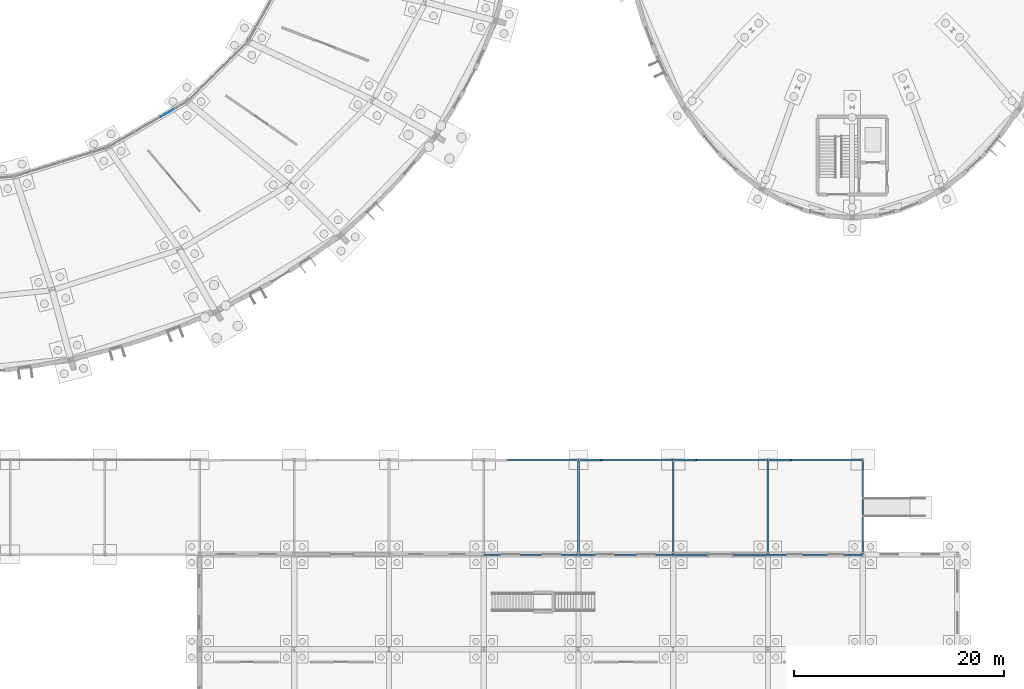
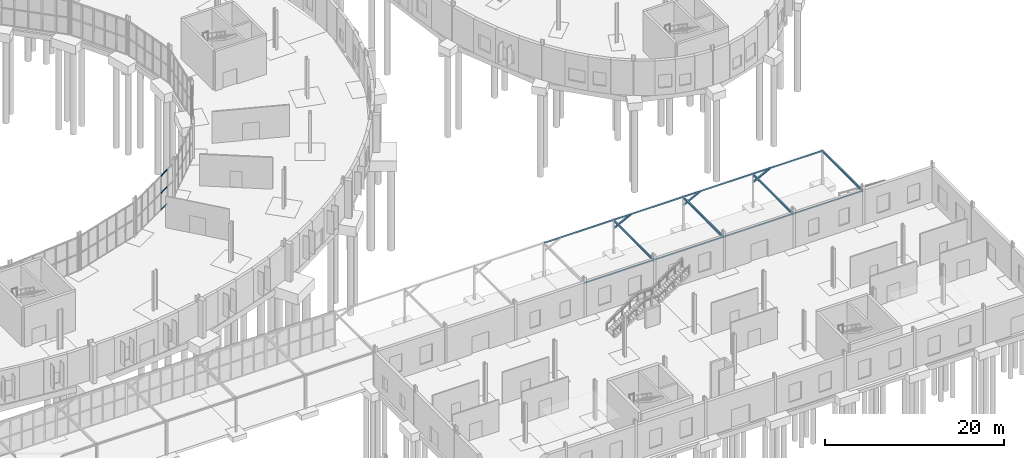
# One storey, part 65 of 118: 12 beams, 6 members, 1 element without a shape of its own.
"""IFC4 building model written with IfcOpenShell, lengths in metres."""

from ifc_helpers import new_model, si_unit, direction, frame, origin, origin_2d, place, context, subcontext, project, spatial, rectangle, hollow_rectangle, i_section, extrude, material, material_profile, profile_set, type_object, element, aggregate, save


model = new_model("IFC4")

# Units and contexts
model_context = context("Model", 3, precision=1e-05, world=origin(), true_north=direction((0.0, 1.0)))
body_context = subcontext(model_context, "Body", "Model", "MODEL_VIEW")
ifc_project = project(units=[si_unit("LENGTHUNIT", "METRE"), si_unit("AREAUNIT", "SQUARE_METRE"), si_unit("VOLUMEUNIT", "CUBIC_METRE"), si_unit("PLANEANGLEUNIT", "RADIAN"), si_unit("MASSUNIT", "GRAM", prefix="KILO")], contexts=[model_context])

# Site, building, storey
site_placement = place(None, origin())
site = spatial("IfcSite", under=ifc_project, at=site_placement, CompositionType="ELEMENT")
building_placement = place(site_placement, origin())
building = spatial("IfcBuilding", under=site, at=building_placement, Name="Kildeholm Park Wholesale Market", CompositionType="ELEMENT")
storey_placement = place(building_placement, origin())
storey = spatial("IfcBuildingStorey", under=building, at=storey_placement, Name="L00", CompositionType="ELEMENT", Elevation=0.0)

# Beams
ifc_material_1 = material(Name="Steel S355", Category="steel")
ifc_material_profile_1 = material_profile(ifc_material_1, i_section(OverallWidth=0.14990234375, OverallDepth=0.300048828125, WebThickness=0.007080078125, FlangeThickness=0.0107421875, FilletRadius=0.014892578125, at=origin_2d()), Name="IPE 300")
ifc_profile_set_1 = profile_set([ifc_material_profile_1], Name="Steel S355")
beam_type_1 = type_object("IfcBeamType", Name="Beam B-C01 IPE 300", PredefinedType="BEAM", material=ifc_profile_set_1)
for number, where, z_axis, x_axis, name in (
    (1, (162.0, 27.0, 4.486083984375), (0.0, 1.0, 0.0), (-1.0, 0.0, 0.0), "Beam BM-V6-TR-162 BM-1827"),
    (2, (171.0, 27.0, 4.486083984375), (0.0, 1.0, 0.0), (-1.0, 0.0, 0.0), "Beam BM-V6-TR-171 BM-1830"),
    (3, (180.0, 27.0, 4.486083984375), (0.0, 1.0, 0.0), (-1.0, 0.0, 0.0), "Beam BM-V6-TR-180 BM-1833"),
    (4, (189.0, 27.0, 4.486083984375), (0.0, 1.0, 0.0), (-1.0, 0.0, 0.0), "Beam BM-V6-TR-189 BM-1836"),
):
    element("IfcBeam", number, at=place(storey_placement, frame(where, z_axis=z_axis, x_axis=x_axis)), inside=storey, type_object=beam_type_1, Name=name, PredefinedType="BEAM", context=body_context, shape_type="SweptSolid", body=[
        extrude(i_section(OverallWidth=0.14990234375, OverallDepth=0.300048828125, WebThickness=0.007080078125, FlangeThickness=0.0107421875, FilletRadius=0.014892578125, at=origin_2d()), origin(), (0.0, 0.0, 1.0), 9.0),
    ])
ifc_material_profile_2 = material_profile(ifc_material_1, hollow_rectangle(XDim=0.10009765625, YDim=0.199951171875, WallThickness=0.008056640625, InnerFilletRadius=0.008056640625, OuterFilletRadius=0.01611328125, at=origin_2d()), Name="RHS 200x100x8")
ifc_profile_set_2 = profile_set([ifc_material_profile_2], Name="Steel S355")
beam_type_2 = type_object("IfcBeamType", Name="Beam LN-01 RHS 200x100x8", PredefinedType="LINTEL", material=ifc_profile_set_2)
for number, where, z_axis, x_axis, name in (
    (5, (153.0, 27.0, 4.5400390625), (1.0, 0.0, 0.0), (0.0, 1.0, 0.0), "Beam BM-V6-S-153 BM-1825"),
    (6, (153.0, 36.0, 4.5400390625), (1.0, 0.0, 0.0), (0.0, 1.0, 0.0), "Beam BM-V6-N-153 BM-1826"),
    (7, (162.0, 27.0, 4.5400390625), (1.0, 0.0, 0.0), (0.0, 1.0, 0.0), "Beam BM-V6-S-162 BM-1828"),
    (8, (162.0, 36.0, 4.5400390625), (1.0, 0.0, 0.0), (0.0, 1.0, 0.0), "Beam BM-V6-N-162 BM-1829"),
    (9, (171.0, 27.0, 4.5400390625), (1.0, 0.0, 0.0), (0.0, 1.0, 0.0), "Beam BM-V6-S-171 BM-1831"),
    (10, (171.0, 36.0, 4.5400390625), (1.0, 0.0, 0.0), (0.0, 1.0, 0.0), "Beam BM-V6-N-171 BM-1832"),
    (11, (180.0, 27.0, 4.5400390625), (1.0, 0.0, 0.0), (0.0, 1.0, 0.0), "Beam BM-V6-S-180 BM-1834"),
    (12, (180.0, 36.0, 4.5400390625), (1.0, 0.0, 0.0), (0.0, 1.0, 0.0), "Beam BM-V6-N-180 BM-1835"),
):
    element("IfcBeam", number, at=place(storey_placement, frame(where, z_axis=z_axis, x_axis=x_axis)), inside=storey, type_object=beam_type_2, Name=name, PredefinedType="LINTEL", context=body_context, shape_type="SweptSolid", body=[
        extrude(hollow_rectangle(XDim=0.10009765625, YDim=0.199951171875, WallThickness=0.008056640625, InnerFilletRadius=0.008056640625, OuterFilletRadius=0.01611328125, at=origin_2d()), origin(), (0.0, 0.0, 1.0), 9.0),
    ])

# Curtain wall, members
ifc_material_2 = material(Name="Anodised aluminium and low-E double-glazed glass", Category="aluminium")
curtain_wall_type = type_object("IfcCurtainWallType", Name="Market hall glazed arcade stick curtain wall CW-01", PredefinedType="NOTDEFINED", material=ifc_material_2)
curtain_wall_placement = place(storey_placement, origin())
curtain_wall = element("IfcCurtainWall", 13, at=curtain_wall_placement, inside=storey, type_object=curtain_wall_type, Name="Curtain wall CW-V1-IN0-20 CW-0101", PredefinedType="NOTDEFINED")
ifc_material_3 = material(Name="Anodised aluminium", Category="aluminium")
ifc_material_profile_3 = material_profile(ifc_material_3, rectangle(XDim=0.06494140625, YDim=0.139892578125, at=origin_2d()), Name="CWT 65x140")
ifc_profile_set_3 = profile_set([ifc_material_profile_3], Name="Anodised aluminium")
member_type_1 = type_object("IfcMemberType", Name="Curtain-wall transom CWT-1 CWT 65x140", PredefinedType="USERDEFINED", material=ifc_profile_set_3)
member_1_placement = place(storey_placement, frame((122.3095703125, 68.60400390625, 0.032470703125), z_axis=(0.86576604618, 0.500448951725, 0.0), x_axis=(-0.500448951725, 0.86576604618, 0.0)))
member_1 = element("IfcMember", 14, at=member_1_placement, type_object=member_type_1, Name="CW-01 transom 5.1 MEM-3213", ObjectType="TRANSOM", PredefinedType="USERDEFINED", context=body_context, shape_type="SweptSolid", body=[
    extrude(rectangle(XDim=0.06494140625, YDim=0.139892578125, at=origin_2d()), origin(), (0.0, 0.0, 1.0), 1.376708984375),
])
member_2_placement = place(storey_placement, frame((122.3095703125, 68.60400390625, 2.35009765625), z_axis=(0.86576604618, 0.500448951725, 0.0), x_axis=(-0.500448951725, 0.86576604618, 0.0)))
member_2 = element("IfcMember", 15, at=member_2_placement, type_object=member_type_1, Name="CW-01 transom 5.2 MEM-3214", ObjectType="TRANSOM", PredefinedType="USERDEFINED", context=body_context, shape_type="SweptSolid", body=[
    extrude(rectangle(XDim=0.06494140625, YDim=0.139892578125, at=origin_2d()), origin(), (0.0, 0.0, 1.0), 1.376708984375),
])
member_3_placement = place(storey_placement, frame((122.3095703125, 68.60400390625, 4.66748046875), z_axis=(0.86576604618, 0.500448951725, 0.0), x_axis=(-0.500448951725, 0.86576604618, 0.0)))
member_3 = element("IfcMember", 16, at=member_3_placement, type_object=member_type_1, Name="CW-01 transom 5.3 MEM-3215", ObjectType="TRANSOM", PredefinedType="USERDEFINED", context=body_context, shape_type="SweptSolid", body=[
    extrude(rectangle(XDim=0.06494140625, YDim=0.139892578125, at=origin_2d()), origin(), (0.0, 0.0, 1.0), 1.376708984375),
])
aggregate(curtain_wall, [member_1, member_2, member_3])

# Members
ifc_material_profile_4 = material_profile(ifc_material_1, i_section(OverallWidth=0.199951171875, OverallDepth=0.199951171875, WebThickness=0.009033203125, FlangeThickness=0.014892578125, FilletRadius=0.01806640625, at=origin_2d()), Name="HEB 200")
ifc_profile_set_4 = profile_set([ifc_material_profile_4], Name="Steel S355")
member_type_2 = type_object("IfcMemberType", Name="Member PT-01 HEB 200", PredefinedType="POST", material=ifc_profile_set_4)
for number, where, z_axis, x_axis, name in (
    (17, (162.0, 36.0, 3.39990234375), (0.887849952902, 0.0, 0.460133090673), (0.0, 1.0, 0.0), "Member PT-V6-162 MEM-0391"),
    (18, (180.0, 36.0, 3.39990234375), (0.887849952902, 0.0, 0.460133090673), (0.0, 1.0, 0.0), "Member PT-V6-180 MEM-0393"),
):
    element("IfcMember", number, at=place(storey_placement, frame(where, z_axis=z_axis, x_axis=x_axis)), inside=storey, type_object=member_type_2, Name=name, PredefinedType="POST", context=body_context, shape_type="SweptSolid", body=[
        extrude(i_section(OverallWidth=0.199951171875, OverallDepth=0.199951171875, WebThickness=0.009033203125, FlangeThickness=0.014892578125, FilletRadius=0.01806640625, at=origin_2d()), origin(), (0.0, 0.0, 1.0), 2.477783203125),
    ])
ifc_material_profile_5 = material_profile(ifc_material_1, hollow_rectangle(XDim=0.199951171875, YDim=0.199951171875, WallThickness=0.012451171875, InnerFilletRadius=0.012451171875, OuterFilletRadius=0.02490234375, at=origin_2d()), Name="SHS 200x200x12.5")
ifc_profile_set_5 = profile_set([ifc_material_profile_5], Name="Steel S355")
member_type_3 = type_object("IfcMemberType", Name="Member PT-02 SHS 200x200x12.5", PredefinedType="POST", material=ifc_profile_set_5)
member_4_placement = place(storey_placement, frame((171.0, 36.0, 3.39990234375), z_axis=(0.887849952902, 0.0, 0.460133090673), x_axis=(0.0, 1.0, 0.0)))
element("IfcMember", 19, at=member_4_placement, inside=storey, type_object=member_type_3, Name="Member PT-V6-171 MEM-0392", PredefinedType="POST", context=body_context, shape_type="SweptSolid", body=[
    extrude(hollow_rectangle(XDim=0.199951171875, YDim=0.199951171875, WallThickness=0.012451171875, InnerFilletRadius=0.012451171875, OuterFilletRadius=0.02490234375, at=origin_2d()), origin(), (0.0, 0.0, 1.0), 2.477783203125),
])

save(model, "model.ifc")
